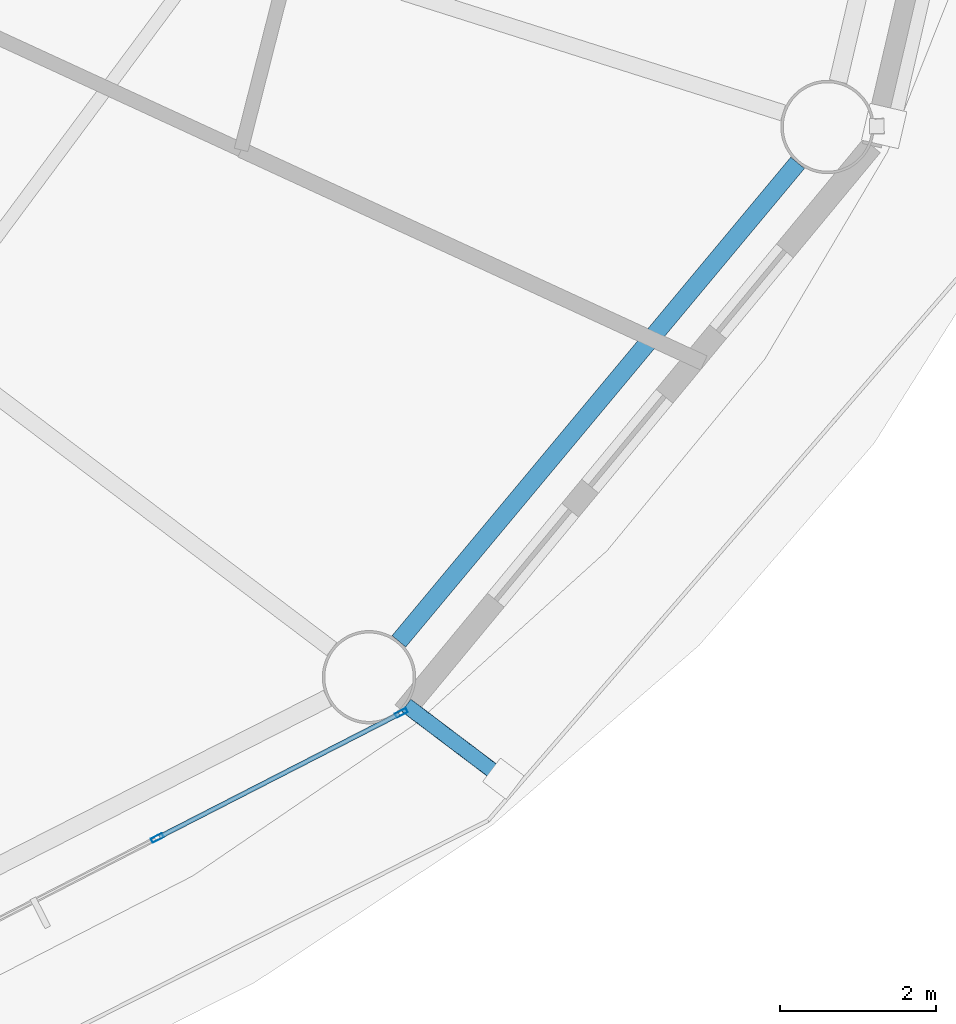
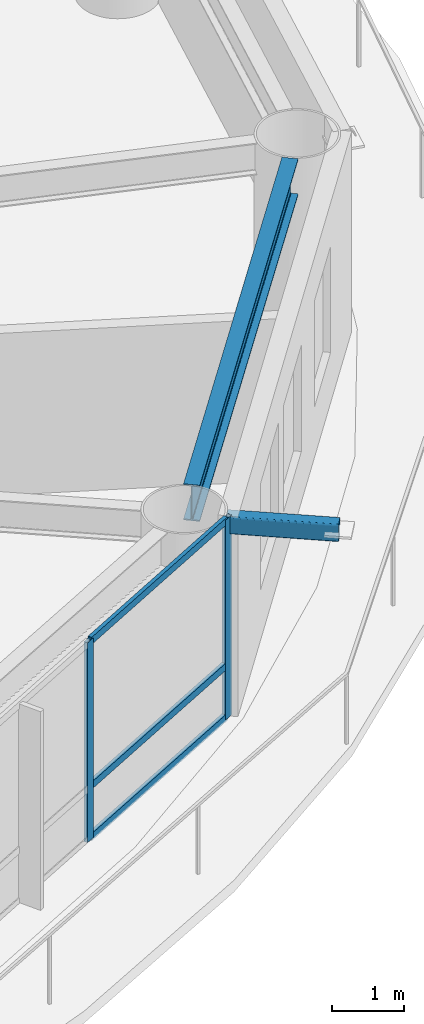
# One storey, part 6 of 24: 6 members, 1 beam, 1 element without a shape of its own.
"""IFC4 building model written with IfcOpenShell, lengths in metres."""

from ifc_helpers import new_model, si_unit, direction, frame, origin, origin_2d, place, context, subcontext, project, spatial, hollow_rectangle, i_section, extrude, material, layer, layer_set, material_profile, profile_set, type_object, element, aggregate, save


model = new_model("IFC4")

# Units and contexts
model_context = context("Model", 3, precision=1e-05, world=origin(), true_north=direction((0.0, 1.0)))
body_context = subcontext(model_context, "Body", "Model", "MODEL_VIEW")
ifc_project = project(units=[si_unit("LENGTHUNIT", "METRE"), si_unit("AREAUNIT", "SQUARE_METRE"), si_unit("VOLUMEUNIT", "CUBIC_METRE"), si_unit("PLANEANGLEUNIT", "RADIAN"), si_unit("MASSUNIT", "GRAM", prefix="KILO")], contexts=[model_context])

# Site, building, storey
site_placement = place(None, origin())
site = spatial("IfcSite", under=ifc_project, at=site_placement, CompositionType="ELEMENT")
building_placement = place(site_placement, origin())
building = spatial("IfcBuilding", under=site, at=building_placement, Name="Sarneth Arch Tower", CompositionType="ELEMENT")
storey_placement = place(building_placement, frame((0.0, 0.0, 116.39990234375)))
storey = spatial("IfcBuildingStorey", under=building, at=storey_placement, Name="L29", CompositionType="ELEMENT", Elevation=116.39990234375)

# Beam
ifc_material_1 = material(Name="Steel S355", Category="steel")
ifc_material_profile_1 = material_profile(ifc_material_1, i_section(OverallWidth=0.22900390625, OverallDepth=0.612060546875, WebThickness=0.011962890625, FlangeThickness=0.01953125, FilletRadius=0.01904296875, at=origin_2d()), Name="W610x125")
ifc_profile_set_1 = profile_set([ifc_material_profile_1], Name="Steel S355")
beam_type = type_object("IfcBeamType", Name="BM-SPAN-610C", PredefinedType="SPANDREL", material=ifc_profile_set_1)
beam_placement = place(storey_placement, frame((68.78173828125, 27.0458984375, 3.07421875), z_axis=(0.640163403463, 0.768238775946, 0.0), x_axis=(-0.768238775946, 0.640163403463, 0.0)))
element("IfcBeam", 1, at=beam_placement, inside=storey, type_object=beam_type, Name="L29 Perimeter spandrel beam 15", PredefinedType="SPANDREL", context=body_context, shape_type="SweptSolid", body=[
    extrude(i_section(OverallWidth=0.22900390625, OverallDepth=0.612060546875, WebThickness=0.011962890625, FlangeThickness=0.01953125, FilletRadius=0.01904296875, at=origin_2d()), origin(), (0.0, 0.0, 1.0), 8.006103515625),
])

# Curtain wall, members
ifc_material_2 = material(Name="Anodised aluminium Type AA25 and solar-control low-e laminated IGU", Category="aluminium")
ifc_layer = layer(ifc_material_2, 0.159912109375)
ifc_layer_set = layer_set([ifc_layer], Name="Anodised aluminium Type AA25 and solar-control low-e laminated IGU")
curtain_wall_type = type_object("IfcCurtainWallType", Name="CW-HOTEL-MID", PredefinedType="NOTDEFINED", material=ifc_layer_set)
curtain_wall_placement = place(storey_placement, origin())
curtain_wall = element("IfcCurtainWall", 2, at=curtain_wall_placement, inside=storey, type_object=curtain_wall_type, Name="L29 Unitised curtain wall facet 14", PredefinedType="NOTDEFINED")
ifc_material_3 = material(Name="Anodised Aluminium 6063-T6", Category="aluminium")
ifc_material_profile_2 = material_profile(ifc_material_3, hollow_rectangle(XDim=0.06005859375, YDim=0.159912109375, WallThickness=0.00390625, at=origin_2d()), Name="AL-MULL-160x60x4")
ifc_profile_set_2 = profile_set([ifc_material_profile_2], Name="Anodised Aluminium 6063-T6")
member_type_1 = type_object("IfcMemberType", Name="CW-MULLION", PredefinedType="MULLION", material=ifc_profile_set_2)
member_1_placement = place(storey_placement, frame((65.677001953125, 24.518798828125, 0.0), z_axis=(0.0, 0.0, 1.0), x_axis=(-0.456031365356, 0.889963703649, 0.0)))
member_1 = element("IfcMember", 3, at=member_1_placement, type_object=member_type_1, Name="CW-SYS-4 mullion 3", PredefinedType="MULLION", context=body_context, shape_type="SweptSolid", body=[
    extrude(hollow_rectangle(XDim=0.06005859375, YDim=0.159912109375, WallThickness=0.00390625, at=origin_2d()), origin(), (0.0, 0.0, 1.0), 3.380126953125),
])
member_2_placement = place(storey_placement, frame((68.813232421875, 26.1259765625, 0.0), z_axis=(0.0, 0.0, 1.0), x_axis=(-0.456031365356, 0.889963703649, 0.0)))
member_2 = element("IfcMember", 4, at=member_2_placement, type_object=member_type_1, Name="CW-SYS-4 mullion 4", PredefinedType="MULLION", context=body_context, shape_type="SweptSolid", body=[
    extrude(hollow_rectangle(XDim=0.06005859375, YDim=0.159912109375, WallThickness=0.00390625, at=origin_2d()), origin(), (0.0, 0.0, 1.0), 3.380126953125),
])
ifc_material_4 = material(Name="Anodised Aluminium 6063-T6", Category="aluminium")
ifc_material_profile_3 = material_profile(ifc_material_4, hollow_rectangle(XDim=0.06005859375, YDim=0.1201171875, WallThickness=0.00390625, at=origin_2d()), Name="AL-TRAN-120x60x4")
ifc_profile_set_3 = profile_set([ifc_material_profile_3], Name="Anodised Aluminium 6063-T6")
member_type_2 = type_object("IfcMemberType", Name="CW-TRANSOM", PredefinedType="USERDEFINED", material=ifc_profile_set_3)
member_3_placement = place(storey_placement, frame((65.703857421875, 24.532470703125, 0.030029296875), z_axis=(0.889942905184, 0.456071952122, 0.0), x_axis=(-0.456071952122, 0.889942905184, 0.0)))
member_3 = element("IfcMember", 5, at=member_3_placement, type_object=member_type_2, Name="CW-SYS-4 transom 3.1", ObjectType="TRANSOM", PredefinedType="USERDEFINED", context=body_context, shape_type="SweptSolid", body=[
    extrude(hollow_rectangle(XDim=0.06005859375, YDim=0.1201171875, WallThickness=0.00390625, at=origin_2d()), origin(), (0.0, 0.0, 1.0), 3.464111328125),
])
member_4_placement = place(storey_placement, frame((65.703857421875, 24.532470703125, 0.900146484375), z_axis=(0.889942905184, 0.456071952122, 0.0), x_axis=(-0.456071952122, 0.889942905184, 0.0)))
member_4 = element("IfcMember", 6, at=member_4_placement, type_object=member_type_2, Name="CW-SYS-4 transom 3.2", ObjectType="TRANSOM", PredefinedType="USERDEFINED", context=body_context, shape_type="SweptSolid", body=[
    extrude(hollow_rectangle(XDim=0.06005859375, YDim=0.1201171875, WallThickness=0.00390625, at=origin_2d()), origin(), (0.0, 0.0, 1.0), 3.464111328125),
])
member_5_placement = place(storey_placement, frame((65.703857421875, 24.532470703125, 3.35009765625), z_axis=(0.889942905184, 0.456071952122, 0.0), x_axis=(-0.456071952122, 0.889942905184, 0.0)))
member_5 = element("IfcMember", 7, at=member_5_placement, type_object=member_type_2, Name="CW-SYS-4 transom 3.3", ObjectType="TRANSOM", PredefinedType="USERDEFINED", context=body_context, shape_type="SweptSolid", body=[
    extrude(hollow_rectangle(XDim=0.06005859375, YDim=0.1201171875, WallThickness=0.00390625, at=origin_2d()), origin(), (0.0, 0.0, 1.0), 3.464111328125),
])
aggregate(curtain_wall, [member_1, member_2, member_3, member_4, member_5])

# Member
ifc_material_5 = material(Name="Steel S355", Category="steel")
ifc_material_profile_4 = material_profile(ifc_material_5, hollow_rectangle(XDim=0.199951171875, YDim=0.300048828125, WallThickness=0.012451171875, InnerFilletRadius=0.018798828125, OuterFilletRadius=0.03125, at=origin_2d()), Name="RHS300x200x12.5")
ifc_profile_set_4 = profile_set([ifc_material_profile_4], Name="Steel S355")
member_type_3 = type_object("IfcMemberType", Name="MEM-CANT-STRUT", PredefinedType="STRUT", material=ifc_profile_set_4)
member_6_placement = place(storey_placement, frame((68.876220703125, 26.223388671875, 3.22021484375), z_axis=(0.797747213845, -0.602992025488, 0.0), x_axis=(0.602992025488, 0.797747213845, 0.0)))
element("IfcMember", 8, at=member_6_placement, inside=storey, type_object=member_type_3, Name="L29 Balcony cantilever bracket 15", PredefinedType="STRUT", context=body_context, shape_type="SweptSolid", body=[
    extrude(hollow_rectangle(XDim=0.199951171875, YDim=0.300048828125, WallThickness=0.012451171875, InnerFilletRadius=0.018798828125, OuterFilletRadius=0.03125, at=origin_2d()), origin(), (0.0, 0.0, 1.0), 1.564453125),
])

save(model, "model.ifc")
